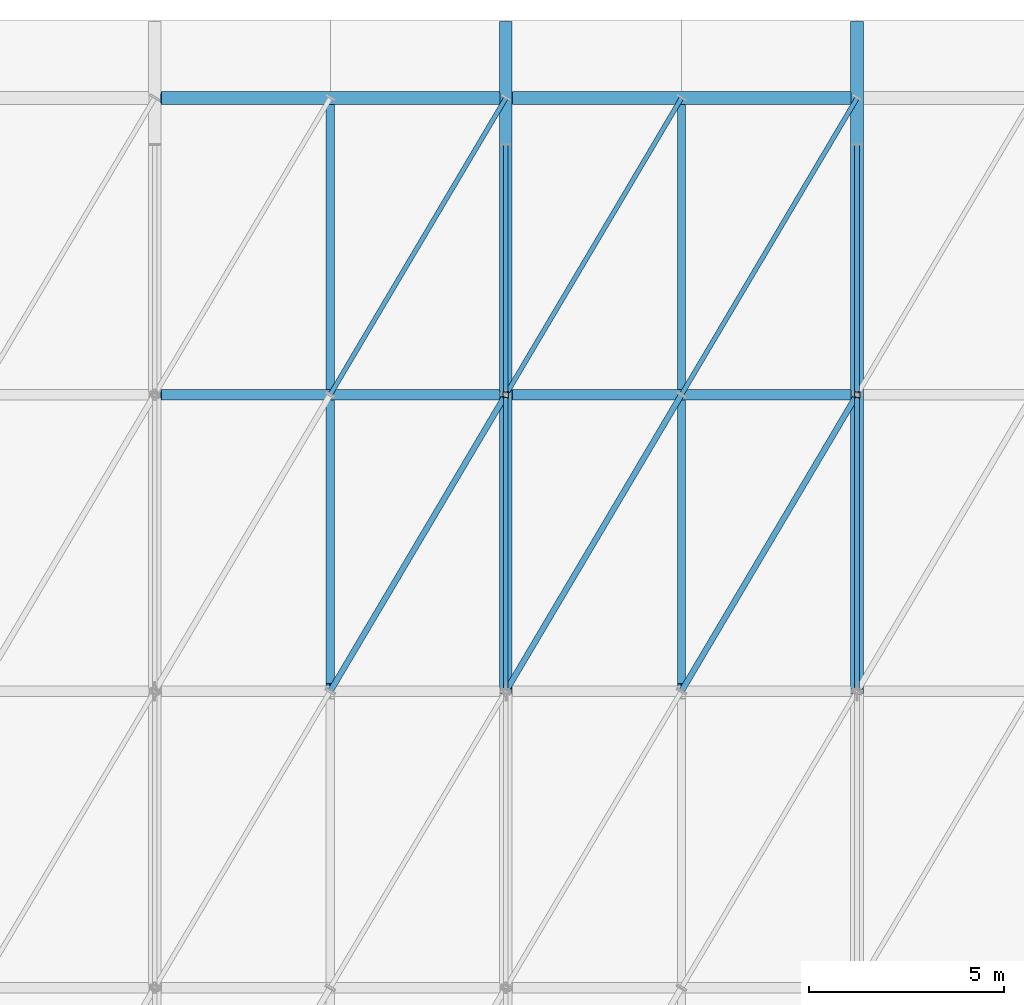
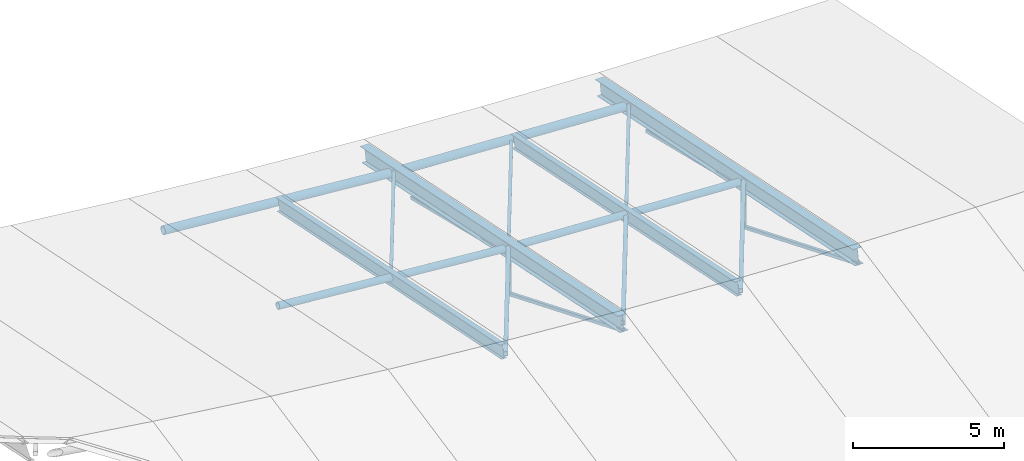
# One storey, part 11 of 21: 12 members, 8 beams.
"""IFC4 building model written with IfcOpenShell, lengths in metres."""

from ifc_helpers import new_model, si_unit, direction, frame, origin, origin_2d, place, context, subcontext, project, spatial, hollow_rectangle, hollow_circle, i_section, extrude, material, material_profile, profile_set, type_object, element, save


model = new_model("IFC4")

# Units and contexts
model_context = context("Model", 3, precision=1e-05, world=origin(), true_north=direction((0.0, 1.0)))
body_context = subcontext(model_context, "Body", "Model", "MODEL_VIEW")
ifc_project = project(units=[si_unit("LENGTHUNIT", "METRE"), si_unit("AREAUNIT", "SQUARE_METRE"), si_unit("VOLUMEUNIT", "CUBIC_METRE"), si_unit("PLANEANGLEUNIT", "RADIAN"), si_unit("MASSUNIT", "GRAM", prefix="KILO")], contexts=[model_context])

# Site, building, storey
site_placement = place(None, origin())
site = spatial("IfcSite", under=ifc_project, at=site_placement, CompositionType="ELEMENT")
building_placement = place(site_placement, origin())
building = spatial("IfcBuilding", under=site, at=building_placement, Name="Caisbarro Railhouse Central Library", CompositionType="ELEMENT")
storey_placement = place(building_placement, frame((0.0, 0.0, 26.639892578125)))
storey = spatial("IfcBuildingStorey", under=building, at=storey_placement, Name="RF", CompositionType="ELEMENT", Elevation=26.639892578125)

# Beams
ifc_material = material(Name="Steel ASTM A572 Grade 50", Category="steel")
ifc_material_profile_1 = material_profile(ifc_material, i_section(OverallWidth=0.324951171875, OverallDepth=0.615966796875, WebThickness=0.013916015625, FlangeThickness=0.021484375, FilletRadius=0.02197265625, at=origin_2d()), Name="W610X174.0")
ifc_profile_set_1 = profile_set([ifc_material_profile_1], Name="Steel ASTM A572 Grade 50")
beam_type_1 = type_object("IfcBeamType", Name="BM-G02", PredefinedType="BEAM", material=ifc_profile_set_1)
for number, where, z_axis, x_axis, name in (
    (1, (54.0, 45.60009765625, -6.60986328125), (0.0, 0.979828942298, -0.199838044013), (-1.0, 0.0, 0.0), "V1 Gridshell North Rafter X=54"),
    (2, (63.0, 45.60009765625, -7.059814453125), (0.0, 0.979828942298, -0.199838044013), (-1.0, 0.0, 0.0), "V1 Gridshell North Rafter X=63"),
):
    element("IfcBeam", number, at=place(storey_placement, frame(where, z_axis=z_axis, x_axis=x_axis)), inside=storey, type_object=beam_type_1, Name=name, PredefinedType="BEAM", context=body_context, shape_type="SweptSolid", body=[
        extrude(i_section(OverallWidth=0.324951171875, OverallDepth=0.615966796875, WebThickness=0.013916015625, FlangeThickness=0.021484375, FilletRadius=0.02197265625, at=origin_2d()), origin(), (0.0, 0.0, 1.0), 17.451904296875),
    ])
ifc_material_profile_2 = material_profile(ifc_material, i_section(OverallWidth=0.208984375, OverallDepth=0.532958984375, WebThickness=0.01025390625, FlangeThickness=0.015625, FilletRadius=0.02001953125, at=origin_2d()), Name="W530X92.0")
ifc_profile_set_2 = profile_set([ifc_material_profile_2], Name="Steel ASTM A572 Grade 50")
beam_type_2 = type_object("IfcBeamType", Name="BM-G06", PredefinedType="BEAM", material=ifc_profile_set_2)
for number, where, z_axis, x_axis, name in (
    (3, (49.5, 45.739990234375, -6.263427734375), (0.0, 0.979829287426, -0.199836351802), (-1.0, 0.0, 0.0), "V1 Gridshell Secondary Rafter North 6"),
    (4, (58.5, 45.739990234375, -6.863525390625), (0.0, 0.979832431979, -0.19982093294), (-1.0, 0.0, 0.0), "V1 Gridshell Secondary Rafter North 7"),
):
    element("IfcBeam", number, at=place(storey_placement, frame(where, z_axis=z_axis, x_axis=x_axis)), inside=storey, type_object=beam_type_2, Name=name, PredefinedType="BEAM", context=body_context, shape_type="SweptSolid", body=[
        extrude(i_section(OverallWidth=0.208984375, OverallDepth=0.532958984375, WebThickness=0.01025390625, FlangeThickness=0.015625, FilletRadius=0.02001953125, at=origin_2d()), origin(), (0.0, 0.0, 1.0), 15.20166015625),
    ])
ifc_material_profile_3 = material_profile(ifc_material, hollow_circle(Radius=0.161865234375, WallThickness=0.01611328125, at=origin_2d()), Name="CHS323.9X16.0")
ifc_profile_set_3 = profile_set([ifc_material_profile_3], Name="Steel ASTM A572 Grade 50")
beam_type_3 = type_object("IfcBeamType", Name="BM-RB01", PredefinedType="BEAM", material=ifc_profile_set_3)
beam_1_placement = place(storey_placement, frame((45.1650390625, 60.800048828125, -8.9736328125), z_axis=(0.996546532333, 0.0, -0.083036190279), x_axis=(0.0, 1.0, 0.0)))
element("IfcBeam", 5, at=beam_1_placement, inside=storey, type_object=beam_type_3, Name="V1 Gridshell Longitudinal Chord N06", PredefinedType="BEAM", context=body_context, shape_type="SweptSolid", body=[
    extrude(hollow_circle(Radius=0.161865234375, WallThickness=0.01611328125, at=origin_2d()), origin(), (0.0, 0.0, 1.0), 8.699951171875),
])
beam_2_placement = place(storey_placement, frame((54.1650390625, 60.800048828125, -9.71826171875), z_axis=(0.998753180363, 0.0, -0.049920784387), x_axis=(0.0, 1.0, 0.0)))
element("IfcBeam", 6, at=beam_2_placement, inside=storey, type_object=beam_type_3, Name="V1 Gridshell Longitudinal Chord N07", PredefinedType="BEAM", context=body_context, shape_type="SweptSolid", body=[
    extrude(hollow_circle(Radius=0.161865234375, WallThickness=0.01611328125, at=origin_2d()), origin(), (0.0, 0.0, 1.0), 8.6806640625),
])
ifc_material_profile_4 = material_profile(ifc_material, hollow_circle(Radius=0.136474609375, WallThickness=0.012451171875, at=origin_2d()), Name="CHS273.0X12.5")
ifc_profile_set_4 = profile_set([ifc_material_profile_4], Name="Steel ASTM A572 Grade 50")
beam_type_4 = type_object("IfcBeamType", Name="BM-RB02", PredefinedType="BEAM", material=ifc_profile_set_4)
beam_3_placement = place(storey_placement, frame((45.1650390625, 53.199951171875, -7.423583984375), z_axis=(0.996546532333, 0.0, -0.083036190279), x_axis=(0.0, 1.0, 0.0)))
element("IfcBeam", 7, at=beam_3_placement, inside=storey, type_object=beam_type_4, Name="V1 Gridshell Longitudinal Chord Q206", PredefinedType="BEAM", context=body_context, shape_type="SweptSolid", body=[
    extrude(hollow_circle(Radius=0.136474609375, WallThickness=0.012451171875, at=origin_2d()), origin(), (0.0, 0.0, 1.0), 8.699951171875),
])
beam_4_placement = place(storey_placement, frame((54.1650390625, 53.199951171875, -8.168212890625), z_axis=(0.998753180363, 0.0, -0.049920784387), x_axis=(0.0, 1.0, 0.0)))
element("IfcBeam", 8, at=beam_4_placement, inside=storey, type_object=beam_type_4, Name="V1 Gridshell Longitudinal Chord Q207", PredefinedType="BEAM", context=body_context, shape_type="SweptSolid", body=[
    extrude(hollow_circle(Radius=0.136474609375, WallThickness=0.012451171875, at=origin_2d()), origin(), (0.0, 0.0, 1.0), 8.6806640625),
])

# Members
ifc_material_profile_5 = material_profile(ifc_material, hollow_rectangle(XDim=0.14990234375, YDim=0.14990234375, WallThickness=0.010009765625, at=origin_2d()), Name="HSS150X150X10")
ifc_profile_set_5 = profile_set([ifc_material_profile_5], Name="Steel ASTM A572 Grade 50")
member_type_1 = type_object("IfcMemberType", Name="MEM-GS01", PredefinedType="STRUT", material=ifc_profile_set_5)
member_1_placement = place(storey_placement, frame((54.0, 53.199951171875, -10.0078125), z_axis=(0.0, 0.0, 1.0), x_axis=(1.0, 0.0, 0.0)))
element("IfcMember", 9, at=member_1_placement, inside=storey, type_object=member_type_1, Name="V1 Gridshell QPN Strut 7", PredefinedType="STRUT", context=body_context, shape_type="SweptSolid", body=[
    extrude(hollow_rectangle(XDim=0.14990234375, YDim=0.14990234375, WallThickness=0.010009765625, at=origin_2d()), origin(), (0.0, 0.0, 1.0), 1.56494140625),
])
member_2_placement = place(storey_placement, frame((63.0, 53.199951171875, -10.4580078125), z_axis=(0.0, 0.0, 1.0), x_axis=(1.0, 0.0, 0.0)))
element("IfcMember", 10, at=member_2_placement, inside=storey, type_object=member_type_1, Name="V1 Gridshell QPN Strut 8", PredefinedType="STRUT", context=body_context, shape_type="SweptSolid", body=[
    extrude(hollow_rectangle(XDim=0.14990234375, YDim=0.14990234375, WallThickness=0.010009765625, at=origin_2d()), origin(), (0.0, 0.0, 1.0), 1.565185546875),
])
member_3_placement = place(storey_placement, frame((49.5, 45.60009765625, -6.2724609375), z_axis=(0.498249222169, 0.841471356169, -0.208982461838), x_axis=(-0.860471083771, 0.509499277717, 0.0)))
element("IfcMember", 11, at=member_3_placement, inside=storey, type_object=member_type_1, Name="V1 Gridshell Diagonal Strut 47", PredefinedType="STRUT", context=body_context, shape_type="SweptSolid", body=[
    extrude(hollow_rectangle(XDim=0.14990234375, YDim=0.14990234375, WallThickness=0.010009765625, at=origin_2d()), origin(), (0.0, 0.0, 1.0), 9.03173828125),
])
member_4_placement = place(storey_placement, frame((54.0, 45.60009765625, -6.60986328125), z_axis=(0.499098340805, 0.842905395558, -0.201025720602), x_axis=(-0.860471083771, 0.509499277717, 0.0)))
element("IfcMember", 12, at=member_4_placement, inside=storey, type_object=member_type_1, Name="V1 Gridshell Diagonal Strut 51", PredefinedType="STRUT", context=body_context, shape_type="SweptSolid", body=[
    extrude(hollow_rectangle(XDim=0.14990234375, YDim=0.14990234375, WallThickness=0.010009765625, at=origin_2d()), origin(), (0.0, 0.0, 1.0), 9.016357421875),
])
member_5_placement = place(storey_placement, frame((58.5, 45.60009765625, -6.872314453125), z_axis=(0.499917152111, 0.844288250221, -0.193028991513), x_axis=(-0.860471083771, 0.509499277717, 0.0)))
element("IfcMember", 13, at=member_5_placement, inside=storey, type_object=member_type_1, Name="V1 Gridshell Diagonal Strut 55", PredefinedType="STRUT", context=body_context, shape_type="SweptSolid", body=[
    extrude(hollow_rectangle(XDim=0.14990234375, YDim=0.14990234375, WallThickness=0.010009765625, at=origin_2d()), origin(), (0.0, 0.0, 1.0), 9.00146484375),
])
ifc_material_profile_6 = material_profile(ifc_material, hollow_rectangle(XDim=0.1201171875, YDim=0.1201171875, WallThickness=0.008056640625, at=origin_2d()), Name="HSS120X120X8")
ifc_profile_set_6 = profile_set([ifc_material_profile_6], Name="Steel ASTM A572 Grade 50")
member_type_2 = type_object("IfcMemberType", Name="MEM-GS02", PredefinedType="STRUT", material=ifc_profile_set_6)
member_6_placement = place(storey_placement, frame((54.0, 59.60009765625, -10.0078125), z_axis=(0.0, -0.971382859831, 0.237519135286), x_axis=(1.0, 0.0, 0.0)))
element("IfcMember", 14, at=member_6_placement, inside=storey, type_object=member_type_2, Name="V1 Gridshell Truss Web DN1 7", PredefinedType="STRUT", context=body_context, shape_type="SweptSolid", body=[
    extrude(hollow_rectangle(XDim=0.1201171875, YDim=0.1201171875, WallThickness=0.008056640625, at=origin_2d()), origin(), (0.0, 0.0, 1.0), 6.588623046875),
])
member_7_placement = place(storey_placement, frame((54.0, 53.199951171875, -10.0078125), z_axis=(0.0, -0.925292485077, 0.379254290761), x_axis=(1.0, 0.0, 0.0)))
element("IfcMember", 15, at=member_7_placement, inside=storey, type_object=member_type_2, Name="V1 Gridshell Truss Web DN2 7", PredefinedType="STRUT", context=body_context, shape_type="SweptSolid", body=[
    extrude(hollow_rectangle(XDim=0.1201171875, YDim=0.1201171875, WallThickness=0.008056640625, at=origin_2d()), origin(), (0.0, 0.0, 1.0), 8.21337890625),
])
member_8_placement = place(storey_placement, frame((63.0, 59.60009765625, -10.4580078125), z_axis=(0.0, -0.971374309995, 0.237554098851), x_axis=(1.0, 0.0, 0.0)))
element("IfcMember", 16, at=member_8_placement, inside=storey, type_object=member_type_2, Name="V1 Gridshell Truss Web DN1 8", PredefinedType="STRUT", context=body_context, shape_type="SweptSolid", body=[
    extrude(hollow_rectangle(XDim=0.1201171875, YDim=0.1201171875, WallThickness=0.008056640625, at=origin_2d()), origin(), (0.0, 0.0, 1.0), 6.5888671875),
])
member_9_placement = place(storey_placement, frame((63.0, 53.199951171875, -10.4580078125), z_axis=(0.0, -0.925282053905, 0.379279739402), x_axis=(1.0, 0.0, 0.0)))
element("IfcMember", 17, at=member_9_placement, inside=storey, type_object=member_type_2, Name="V1 Gridshell Truss Web DN2 8", PredefinedType="STRUT", context=body_context, shape_type="SweptSolid", body=[
    extrude(hollow_rectangle(XDim=0.1201171875, YDim=0.1201171875, WallThickness=0.008056640625, at=origin_2d()), origin(), (0.0, 0.0, 1.0), 8.213623046875),
])
member_10_placement = place(storey_placement, frame((49.5, 53.199951171875, -7.822509765625), z_axis=(0.498237888976, 0.841479247169, -0.208977708316), x_axis=(-0.860478259115, 0.509487159397, 0.0)))
element("IfcMember", 18, at=member_10_placement, inside=storey, type_object=member_type_2, Name="V1 Gridshell Diagonal Strut 48", PredefinedType="STRUT", context=body_context, shape_type="SweptSolid", body=[
    extrude(hollow_rectangle(XDim=0.1201171875, YDim=0.1201171875, WallThickness=0.008056640625, at=origin_2d()), origin(), (0.0, 0.0, 1.0), 9.03173828125),
])
member_11_placement = place(storey_placement, frame((54.0, 53.199951171875, -8.159912109375), z_axis=(0.499086949573, 0.842913234603, -0.201021132467), x_axis=(-0.860478259115, 0.509487159397, 0.0)))
element("IfcMember", 19, at=member_11_placement, inside=storey, type_object=member_type_2, Name="V1 Gridshell Diagonal Strut 52", PredefinedType="STRUT", context=body_context, shape_type="SweptSolid", body=[
    extrude(hollow_rectangle(XDim=0.1201171875, YDim=0.1201171875, WallThickness=0.008056640625, at=origin_2d()), origin(), (0.0, 0.0, 1.0), 9.016357421875),
])
member_12_placement = place(storey_placement, frame((58.5, 53.199951171875, -8.42236328125), z_axis=(0.499905704723, 0.844296038846, -0.193024571425), x_axis=(-0.860478259115, 0.509487159397, 0.0)))
element("IfcMember", 20, at=member_12_placement, inside=storey, type_object=member_type_2, Name="V1 Gridshell Diagonal Strut 56", PredefinedType="STRUT", context=body_context, shape_type="SweptSolid", body=[
    extrude(hollow_rectangle(XDim=0.1201171875, YDim=0.1201171875, WallThickness=0.008056640625, at=origin_2d()), origin(), (0.0, 0.0, 1.0), 9.001708984375),
])

save(model, "model.ifc")
